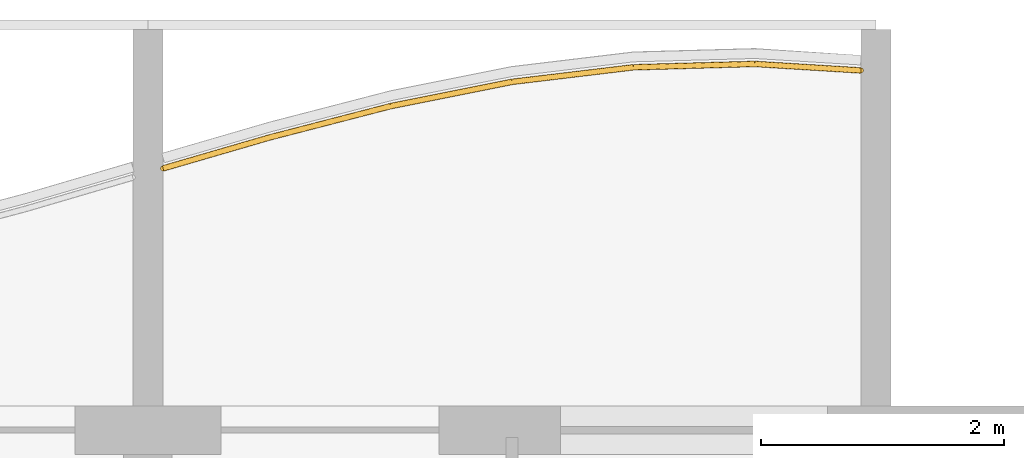
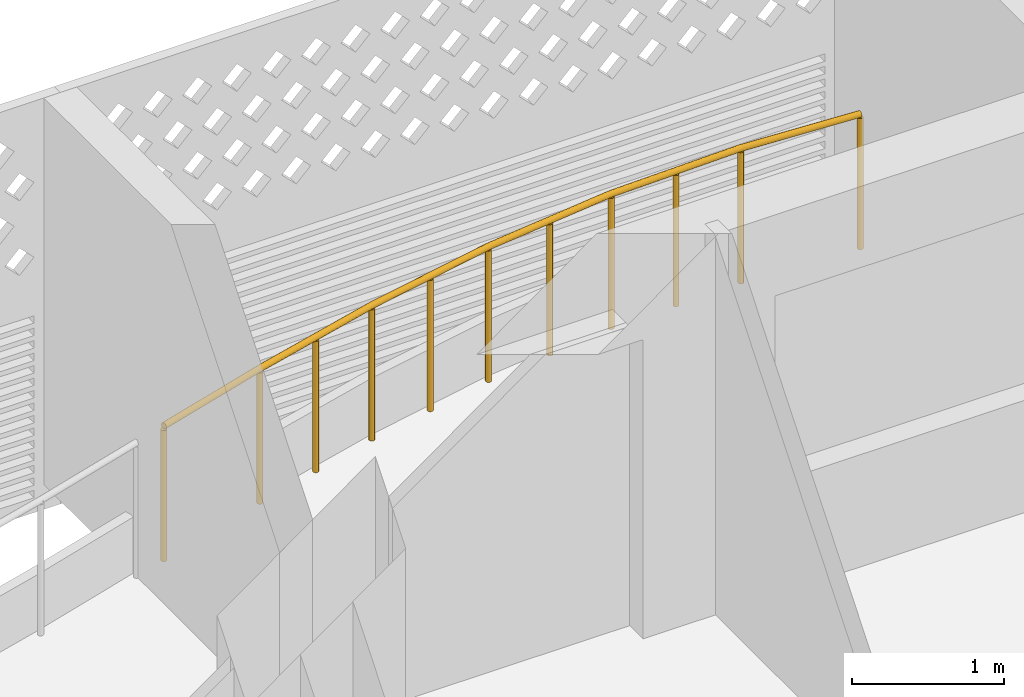
# One storey, part 43 of 44: 1 railing.
"""IFC4 building model written with IfcOpenShell, lengths in metres."""

import ifcopenshell
import ifcopenshell.guid

model = None  # the IFC model being written
_history = None  # IfcOwnerHistory: only IFC2X3 demands one
_inside = {}  # id of a spatial element -> (the spatial element, [elements in it])
_under = {}  # id of a project, library or spatial element -> (it, [spatial elements below it])
_declared = {}  # id of a project -> (the project, [libraries it declares])
_typed = {}  # id of a type object -> (the type object, [elements of that type])
_made_of = {}  # id of a material, layer set ... -> (it, [elements and type objects made of it])


def new_model(schema):
    """Start an empty IFC model of exactly this schema.

    Asked for "IFC4X3", IfcOpenShell would pick the latest addendum, in which some entities
    have other attributes; the version numbers below select the first issue.
    IFC2X3 requires an IfcOwnerHistory on every rooted entity: one is made here for all.
    """
    global model, _history
    if schema == "IFC4X3":
        model = ifcopenshell.file(schema_version=(4, 3, 0, 0))
    else:
        model = ifcopenshell.file(schema=schema)
    _inside.clear()
    _under.clear()
    _declared.clear()
    _typed.clear()
    _made_of.clear()
    _history = None
    if model.schema == "IFC2X3":
        org = make("IfcOrganization", Name="unknown")
        user = make(
            "IfcPersonAndOrganization",
            ThePerson=make("IfcPerson", FamilyName="unknown"),
            TheOrganization=org,
        )
        app = make(
            "IfcApplication",
            ApplicationDeveloper=org,
            Version="unknown",
            ApplicationFullName="unknown",
            ApplicationIdentifier="unknown",
        )
        _history = make(
            "IfcOwnerHistory",
            OwningUser=user,
            OwningApplication=app,
            ChangeAction="ADDED",
            CreationDate=0,
        )
    return model


def make(cls, **values):
    """One entity of the class cls with the attributes given. An attribute that is None is left unset."""
    return model.create_entity(
        cls, **{name: value for name, value in values.items() if value is not None}
    )


def rooted(cls, **values):
    """An entity with a GlobalId (a new one), such as an element, a storey or a relation."""
    return make(cls, GlobalId=ifcopenshell.guid.new(), OwnerHistory=_history, **values)


def si_unit(unit_type, name, prefix=None):
    """IfcSIUnit, for example si_unit("LENGTHUNIT", "METRE", prefix="MILLI")."""
    return make("IfcSIUnit", UnitType=unit_type, Prefix=prefix, Name=name)


def assignment(units):
    """IfcUnitAssignment: the units of a project."""
    return None if units is None else make("IfcUnitAssignment", Units=units)


def point(xyz):
    """IfcCartesianPoint."""
    return None if xyz is None else make("IfcCartesianPoint", Coordinates=xyz)


def direction(xyz):
    """IfcDirection."""
    return None if xyz is None else make("IfcDirection", DirectionRatios=xyz)


def frame(location, z_axis=None, x_axis=None):
    """IfcAxis2Placement3D, a coordinate frame: its origin and axes. An axis left out is left unset."""
    return make(
        "IfcAxis2Placement3D",
        Location=point(location),
        Axis=direction(z_axis),
        RefDirection=direction(x_axis),
    )


def frame_2d(location, x_axis=None):
    """IfcAxis2Placement2D, a coordinate frame in the plane: its origin and x axis."""
    return make(
        "IfcAxis2Placement2D", Location=point(location), RefDirection=direction(x_axis)
    )


def origin():
    """The frame at (0, 0, 0) with its axes left unset."""
    return frame((0.0, 0.0, 0.0))


def origin_2d():
    """The frame at (0, 0) in the plane with its x axis left unset."""
    return frame_2d((0.0, 0.0))


def place(relative_to, where):
    """IfcLocalPlacement: puts the frame where relative to a parent placement (None: the world)."""
    return make(
        "IfcLocalPlacement", PlacementRelTo=relative_to, RelativePlacement=where
    )


def context(
    kind, dimensions, precision=None, world=None, true_north=None, identifier=None
):
    """IfcGeometricRepresentationContext, for example the 3D "Model" context."""
    return make(
        "IfcGeometricRepresentationContext",
        ContextIdentifier=identifier,
        ContextType=kind,
        CoordinateSpaceDimension=dimensions,
        Precision=precision,
        WorldCoordinateSystem=world,
        TrueNorth=true_north,
    )


def subcontext(parent, identifier, kind, view, scale=None):
    """IfcGeometricRepresentationSubContext, for example "Body" below "Model"."""
    return make(
        "IfcGeometricRepresentationSubContext",
        ContextIdentifier=identifier,
        ContextType=kind,
        ParentContext=parent,
        TargetScale=scale,
        TargetView=view,
    )


def project(units=None, contexts=None):
    """IfcProject with its units and contexts."""
    return rooted(
        "IfcProject",
        Name="project",
        RepresentationContexts=contexts,
        UnitsInContext=assignment(units),
    )


def spatial(cls, under=None, at=None, **own):
    """A site, building, storey or space (cls), placed at a placement, below another one or the project."""
    s = rooted(cls, ObjectPlacement=at, **own)
    if under is not None:
        _under.setdefault(under.id(), (under, []))[1].append(s)
    return s


def profile(cls, at=None, kind="AREA", **sizes):
    """A parametric profile (cls). Its sizes go by their IFC names, for example OverallWidth=200.0."""
    return make(cls, ProfileType=kind, Position=at, **sizes)


def circle(**sizes):
    """IfcCircleProfileDef."""
    return profile("IfcCircleProfileDef", **sizes)


def extrude(swept, where, along, depth):
    """IfcExtrudedAreaSolid: the profile swept, set in the frame where, extruded along a direction by depth."""
    return make(
        "IfcExtrudedAreaSolid",
        SweptArea=swept,
        Position=where,
        ExtrudedDirection=direction(along),
        Depth=depth,
    )


def shape(context_of_items, identifier, shape_type, items):
    """IfcShapeRepresentation: the items that make up one representation, for example the "Body"."""
    return make(
        "IfcShapeRepresentation",
        ContextOfItems=context_of_items,
        RepresentationIdentifier=identifier,
        RepresentationType=shape_type,
        Items=items,
    )


def material(Name=None, Category=None):
    """IfcMaterial."""
    return make("IfcMaterial", Name=Name, Category=Category)


def made_of(thing, what):
    """Note that an element or type object is made of a material, layer set ...; save() writes the relation."""
    if what is not None:
        _made_of.setdefault(what.id(), (what, []))[1].append(thing)
    return thing


def type_object(cls, material=None, **own):
    """A type object (cls), such as IfcWallType, which elements share."""
    return made_of(rooted(cls, **own), material)


def element(
    cls,
    number,
    at=None,
    inside=None,
    cuts=None,
    type_object=None,
    material=None,
    context=None,
    identifier="Body",
    shape_type=None,
    held_by="IfcProductDefinitionShape",
    body=None,
    shapes=None,
    **own,
):
    """One element of the class cls, such as IfcWall. Its Tag is "e" and its number.

    at: its placement. inside: the storey or other place that contains it. cuts: it is an
    opening in that element (IfcRelVoidsElement). A single representation is given by context,
    identifier, shape_type and body (its items); several are given by shapes. held_by: the class
    of the entity that holds the representations. save() writes the other relations.
    """
    e = rooted(cls, Tag="e%d" % number, ObjectPlacement=at, **own)
    if body is not None:
        shapes = [shape(context, identifier, shape_type, body)]
    if shapes is not None:
        e.Representation = make(held_by, Representations=shapes)
    if inside is not None:
        _inside.setdefault(inside.id(), (inside, []))[1].append(e)
    if cuts is not None:
        rooted(
            "IfcRelVoidsElement", RelatingBuildingElement=cuts, RelatedOpeningElement=e
        )
    if type_object is not None:
        _typed.setdefault(type_object.id(), (type_object, []))[1].append(e)
    return made_of(e, material)


def aggregate(whole, parts):
    """IfcRelAggregates: a whole, such as a stair, and the parts it consists of."""
    return rooted("IfcRelAggregates", RelatingObject=whole, RelatedObjects=parts)


def save(model, path):
    """Write the relations noted so far, then the file.

    IfcRelAggregates (storeys below a building ...), IfcRelContainedInSpatialStructure (elements
    in a storey), IfcRelDefinesByType, IfcRelAssociatesMaterial and IfcRelDeclares: one each for
    every whole, place, type object, material and project.
    """
    for whole, parts in _under.values():
        aggregate(whole, parts)
    for where, things in _inside.values():
        rooted(
            "IfcRelContainedInSpatialStructure",
            RelatedElements=things,
            RelatingStructure=where,
        )
    for kind, things in _typed.values():
        rooted("IfcRelDefinesByType", RelatedObjects=things, RelatingType=kind)
    for what, things in _made_of.values():
        rooted("IfcRelAssociatesMaterial", RelatedObjects=things, RelatingMaterial=what)
    for by, libraries in _declared.values():
        rooted("IfcRelDeclares", RelatingContext=by, RelatedDefinitions=libraries)
    model.write(path)


model = new_model("IFC4")

# Units and contexts
model_context = context("Model", 3, precision=1e-05, world=origin(), true_north=direction((0.0, 1.0)))
body_context = subcontext(model_context, "Body", "Model", "MODEL_VIEW")
ifc_project = project(units=[si_unit("LENGTHUNIT", "METRE"), si_unit("AREAUNIT", "SQUARE_METRE"), si_unit("VOLUMEUNIT", "CUBIC_METRE"), si_unit("PLANEANGLEUNIT", "RADIAN"), si_unit("MASSUNIT", "GRAM", prefix="KILO")], contexts=[model_context])

# Site, building, storey
site_placement = place(None, origin())
site = spatial("IfcSite", under=ifc_project, at=site_placement, CompositionType="ELEMENT")
building_placement = place(site_placement, origin())
building = spatial("IfcBuilding", under=site, at=building_placement, Name="Poui Terraces", CompositionType="ELEMENT")
storey_placement = place(building_placement, frame((0.0, 0.0, 30.0)))
storey = spatial("IfcBuildingStorey", under=building, at=storey_placement, Name="L07", CompositionType="ELEMENT", Elevation=30.0)

# Railing
ifc_material = material(Name="Painted steel fretwork", Category="steel")
railing_type = type_object("IfcRailingType", Name="BALCONY GUARD 1100", PredefinedType="GUARDRAIL", material=ifc_material)
railing_placement = place(storey_placement, frame((90.125, 46.95703125, 0.0)))
element("IfcRailing", 1, at=railing_placement, inside=storey, type_object=railing_type, Name="BALCONY GUARD", PredefinedType="GUARDRAIL", context=body_context, shape_type="SweptSolid", body=[
    extrude(circle(Radius=0.02392578125, at=origin_2d()), frame((0.0, 0.0, 1.076171875), z_axis=(0.960239707098, 0.279176834485, 0.0), x_axis=(-0.279176834485, 0.960239707098, 0.0)), (0.0, 0.0, 1.0), 0.9111328125),
    extrude(circle(Radius=0.02392578125, at=origin_2d()), frame((0.875, 0.25439453125, 1.076171875), z_axis=(0.968107386431, 0.250535602934, 0.0), x_axis=(-0.250535602934, 0.968107386431, 0.0)), (0.0, 0.0, 1.0), 1.032958984375),
    extrude(circle(Radius=0.02392578125, at=origin_2d()), frame((1.875, 0.51318359375, 1.076171875), z_axis=(0.980589882373, 0.196070096109, 0.0), x_axis=(-0.196070096109, 0.980589882373, 0.0)), (0.0, 0.0, 1.0), 1.019775390625),
    extrude(circle(Radius=0.02392578125, at=origin_2d()), frame((2.875, 0.713134765625, 1.076171875), z_axis=(0.992891742073, 0.119020958339, 0.0), x_axis=(-0.119020958339, 0.992891742073, 0.0)), (0.0, 0.0, 1.0), 1.007080078125),
    extrude(circle(Radius=0.02392578125, at=origin_2d()), frame((3.875, 0.8330078125, 1.076171875), z_axis=(0.999612913888, 0.027821257857, 0.0), x_axis=(-0.027821257857, 0.999612913888, 0.0)), (0.0, 0.0, 1.0), 1.00048828125),
    extrude(circle(Radius=0.02392578125, at=origin_2d()), frame((4.875, 0.86083984375, 1.076171875), z_axis=(0.99812131414, -0.061268607453, 0.0), x_axis=(0.061268607453, 0.99812131414, 0.0)), (0.0, 0.0, 1.0), 0.876708984375),
    extrude(circle(Radius=0.02099609375, at=origin_2d()), origin(), (0.0, 0.0, 1.0), 1.052001953125),
    extrude(circle(Radius=0.02099609375, at=origin_2d()), frame((0.875, 0.25439453125, 0.0)), (0.0, 0.0, 1.0), 1.052001953125),
    extrude(circle(Radius=0.02099609375, at=origin_2d()), frame((1.375, 0.3837890625, 0.0)), (0.0, 0.0, 1.0), 1.052001953125),
    extrude(circle(Radius=0.02099609375, at=origin_2d()), frame((1.875, 0.51318359375, 0.0)), (0.0, 0.0, 1.0), 1.052001953125),
    extrude(circle(Radius=0.02099609375, at=origin_2d()), frame((2.375, 0.61328125, 0.0)), (0.0, 0.0, 1.0), 1.052001953125),
    extrude(circle(Radius=0.02099609375, at=origin_2d()), frame((2.875, 0.713134765625, 0.0)), (0.0, 0.0, 1.0), 1.052001953125),
    extrude(circle(Radius=0.02099609375, at=origin_2d()), frame((3.375, 0.77294921875, 0.0)), (0.0, 0.0, 1.0), 1.052001953125),
    extrude(circle(Radius=0.02099609375, at=origin_2d()), frame((3.875, 0.8330078125, 0.0)), (0.0, 0.0, 1.0), 1.052001953125),
    extrude(circle(Radius=0.02099609375, at=origin_2d()), frame((4.375, 0.846923828125, 0.0)), (0.0, 0.0, 1.0), 1.052001953125),
    extrude(circle(Radius=0.02099609375, at=origin_2d()), frame((4.875, 0.86083984375, 0.0)), (0.0, 0.0, 1.0), 1.052001953125),
    extrude(circle(Radius=0.02099609375, at=origin_2d()), frame((5.75, 0.80712890625, 0.0)), (0.0, 0.0, 1.0), 1.052001953125),
])

save(model, "model.ifc")
